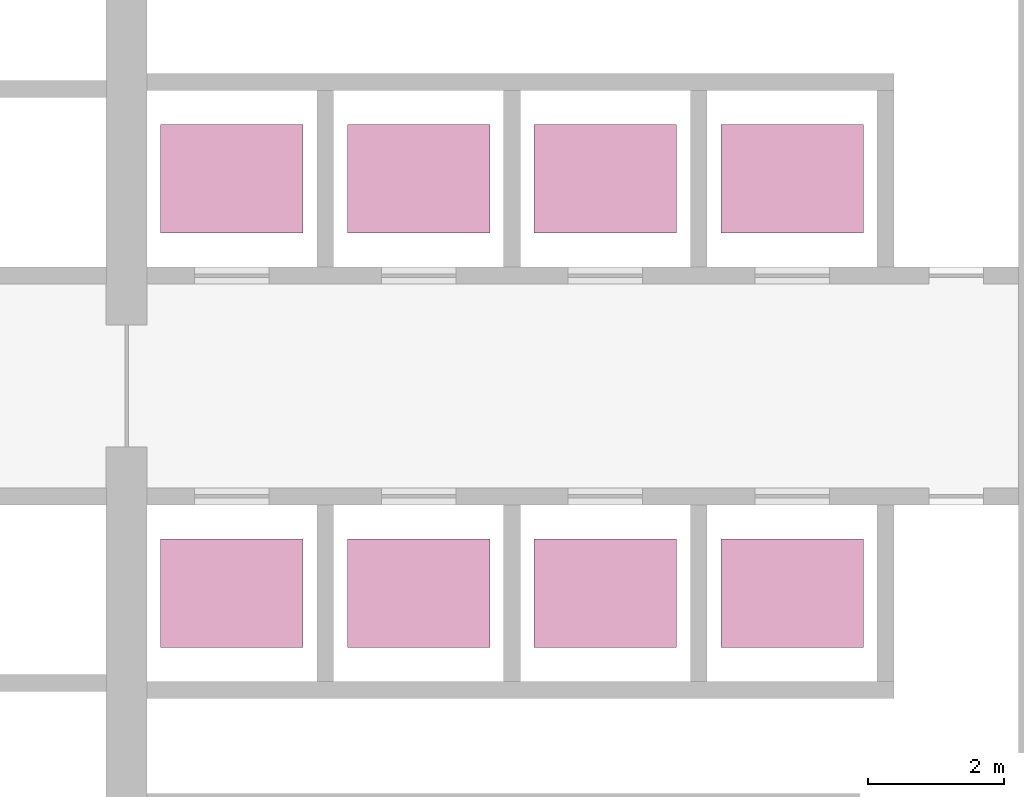
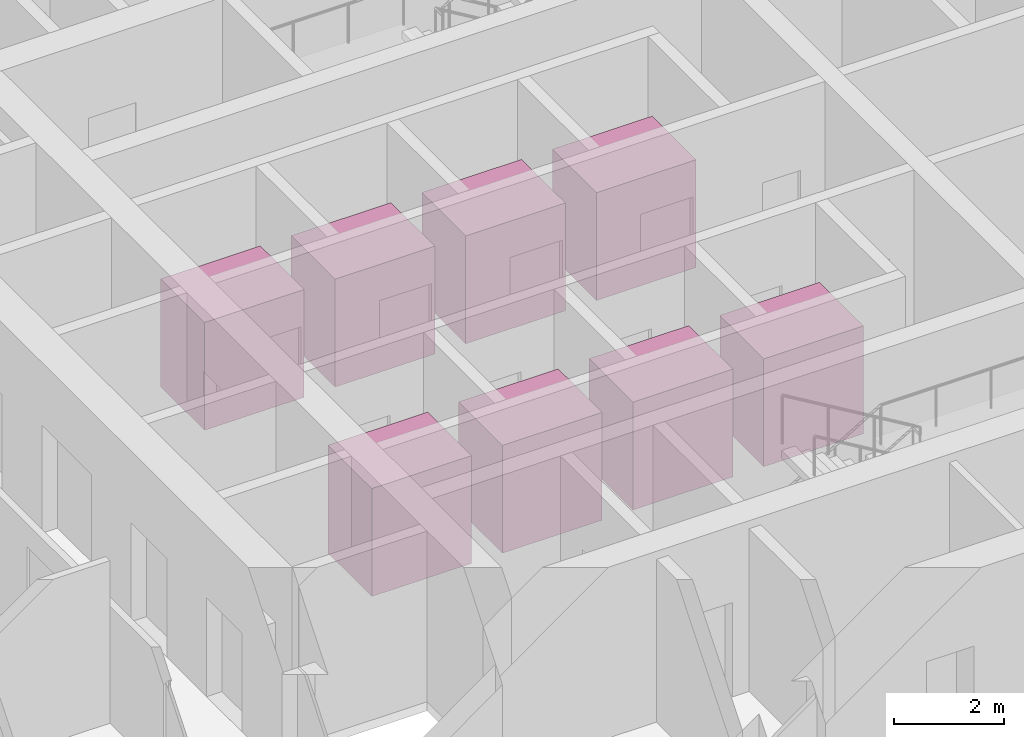
# One storey, part 27 of 27: 8 transport elements.
"""IFC4 building model written with IfcOpenShell, lengths in metres."""

from ifc_helpers import new_model, si_unit, direction, frame, origin, origin_2d, place, context, subcontext, project, spatial, rectangle, extrude, material, type_object, element, save


model = new_model("IFC4")

# Units and contexts
model_context = context("Model", 3, precision=1e-05, world=origin(), true_north=direction((0.0, 1.0)))
body_context = subcontext(model_context, "Body", "Model", "MODEL_VIEW")
ifc_project = project(units=[si_unit("LENGTHUNIT", "METRE"), si_unit("AREAUNIT", "SQUARE_METRE"), si_unit("VOLUMEUNIT", "CUBIC_METRE"), si_unit("PLANEANGLEUNIT", "RADIAN"), si_unit("MASSUNIT", "GRAM", prefix="KILO")], contexts=[model_context])

# Site, building, storey
site_placement = place(None, origin())
site = spatial("IfcSite", under=ifc_project, at=site_placement, CompositionType="ELEMENT")
building_placement = place(site_placement, origin())
building = spatial("IfcBuilding", under=site, at=building_placement, Name="Ostroluk Exchange", CompositionType="ELEMENT")
storey_placement = place(building_placement, frame((0.0, 0.0, 89.39990234375)))
storey = spatial("IfcBuildingStorey", under=building, at=storey_placement, Name="L22", CompositionType="ELEMENT", Elevation=89.39990234375)

# Transport elements
ifc_material = material(Name="Steel S355", Category="steel")
transport_element_type = type_object("IfcTransportElementType", Name="Double-deck passenger lift 1600 kg", PredefinedType="ELEVATOR", material=ifc_material)
for number, where, z_axis, x_axis, name in (
    (1, (36.949951171875, 49.050048828125, 0.000244140625), (0.0, 0.0, 1.0), (1.0, 0.0, 0.0), "Lift PL-M1"),
    (2, (39.699951171875, 49.050048828125, 0.000244140625), (0.0, 0.0, 1.0), (1.0, 0.0, 0.0), "Lift PL-M2"),
    (3, (42.449951171875, 49.050048828125, 0.000244140625), (0.0, 0.0, 1.0), (1.0, 0.0, 0.0), "Lift PL-M3"),
    (4, (45.199951171875, 49.050048828125, 0.000244140625), (0.0, 0.0, 1.0), (1.0, 0.0, 0.0), "Lift PL-M4"),
    (5, (36.949951171875, 42.949951171875, 0.000244140625), (0.0, 0.0, 1.0), (1.0, 0.0, 0.0), "Lift PL-M5"),
    (6, (39.699951171875, 42.949951171875, 0.000244140625), (0.0, 0.0, 1.0), (1.0, 0.0, 0.0), "Lift PL-M6"),
    (7, (42.449951171875, 42.949951171875, 0.000244140625), (0.0, 0.0, 1.0), (1.0, 0.0, 0.0), "Lift PL-M7"),
    (8, (45.199951171875, 42.949951171875, 0.000244140625), (0.0, 0.0, 1.0), (1.0, 0.0, 0.0), "Lift PL-M8"),
):
    element("IfcTransportElement", number, at=place(storey_placement, frame(where, z_axis=z_axis, x_axis=x_axis)), inside=storey, type_object=transport_element_type, Name=name, PredefinedType="ELEVATOR", context=body_context, shape_type="SweptSolid", body=[
        extrude(rectangle(XDim=2.10009765625, YDim=1.60009765625, at=origin_2d()), origin(), (0.0, 0.0, 1.0), 2.39990234375),
    ])

save(model, "model.ifc")
